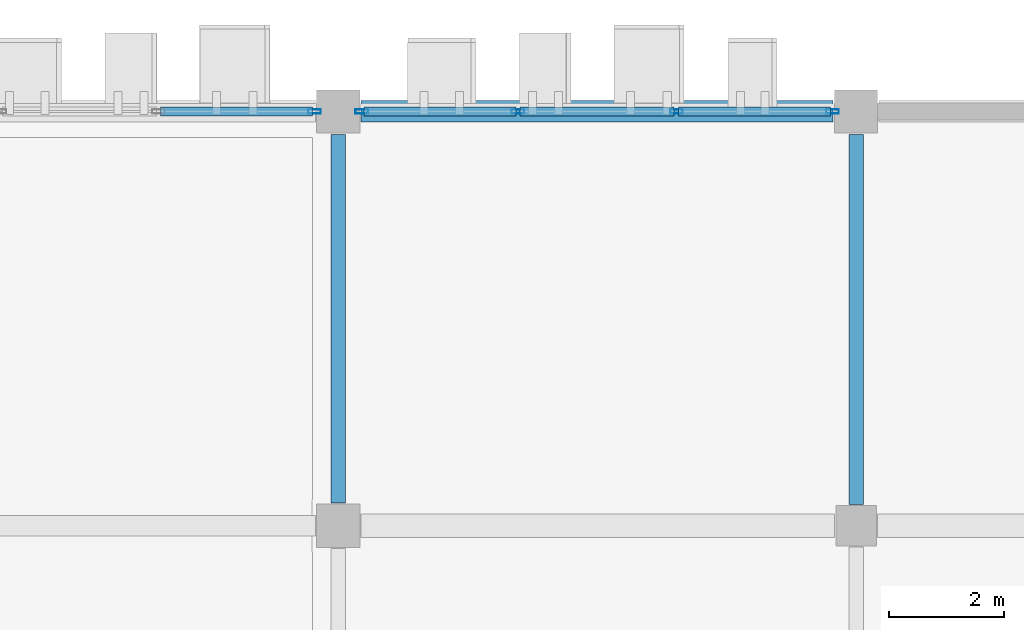
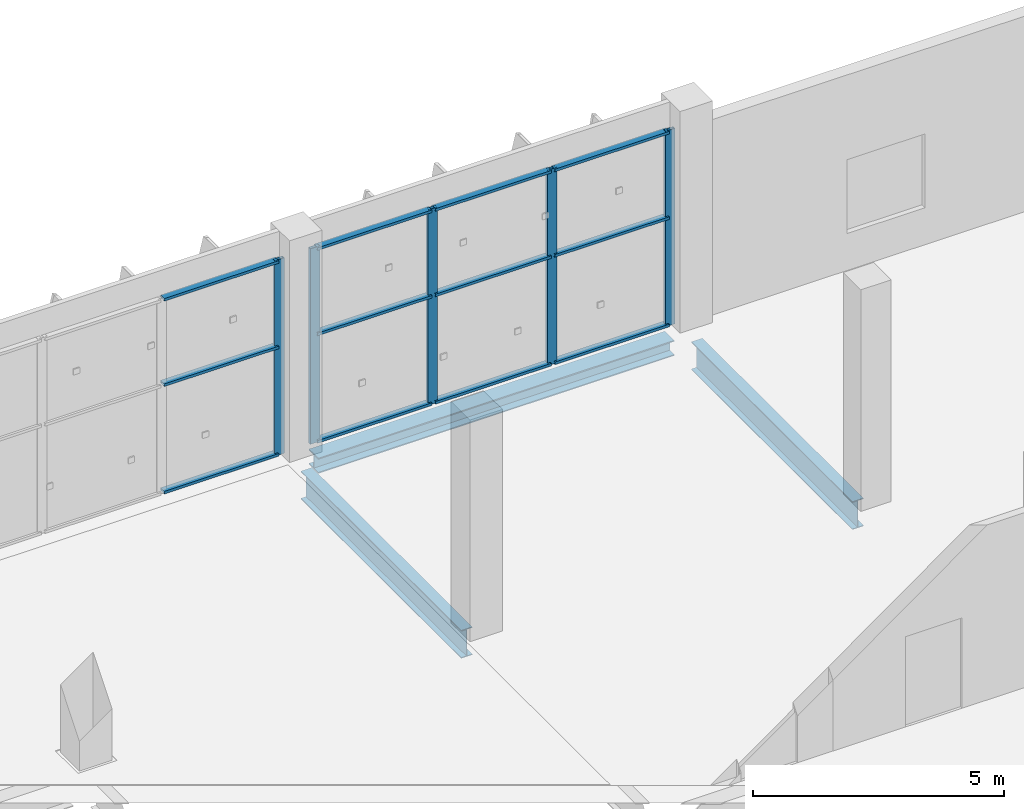
# One storey, part 59 of 189: 17 members, 3 beams, 2 elements without a shape of their own.
"""IFC4 building model written with IfcOpenShell, lengths in metres."""

import ifcopenshell
import ifcopenshell.guid

model = None  # the IFC model being written
_history = None  # IfcOwnerHistory: only IFC2X3 demands one
_inside = {}  # id of a spatial element -> (the spatial element, [elements in it])
_under = {}  # id of a project, library or spatial element -> (it, [spatial elements below it])
_declared = {}  # id of a project -> (the project, [libraries it declares])
_typed = {}  # id of a type object -> (the type object, [elements of that type])
_made_of = {}  # id of a material, layer set ... -> (it, [elements and type objects made of it])


def new_model(schema):
    """Start an empty IFC model of exactly this schema.

    Asked for "IFC4X3", IfcOpenShell would pick the latest addendum, in which some entities
    have other attributes; the version numbers below select the first issue.
    IFC2X3 requires an IfcOwnerHistory on every rooted entity: one is made here for all.
    """
    global model, _history
    if schema == "IFC4X3":
        model = ifcopenshell.file(schema_version=(4, 3, 0, 0))
    else:
        model = ifcopenshell.file(schema=schema)
    _inside.clear()
    _under.clear()
    _declared.clear()
    _typed.clear()
    _made_of.clear()
    _history = None
    if model.schema == "IFC2X3":
        org = make("IfcOrganization", Name="unknown")
        user = make(
            "IfcPersonAndOrganization",
            ThePerson=make("IfcPerson", FamilyName="unknown"),
            TheOrganization=org,
        )
        app = make(
            "IfcApplication",
            ApplicationDeveloper=org,
            Version="unknown",
            ApplicationFullName="unknown",
            ApplicationIdentifier="unknown",
        )
        _history = make(
            "IfcOwnerHistory",
            OwningUser=user,
            OwningApplication=app,
            ChangeAction="ADDED",
            CreationDate=0,
        )
    return model


def make(cls, **values):
    """One entity of the class cls with the attributes given. An attribute that is None is left unset."""
    return model.create_entity(
        cls, **{name: value for name, value in values.items() if value is not None}
    )


def rooted(cls, **values):
    """An entity with a GlobalId (a new one), such as an element, a storey or a relation."""
    return make(cls, GlobalId=ifcopenshell.guid.new(), OwnerHistory=_history, **values)


def si_unit(unit_type, name, prefix=None):
    """IfcSIUnit, for example si_unit("LENGTHUNIT", "METRE", prefix="MILLI")."""
    return make("IfcSIUnit", UnitType=unit_type, Prefix=prefix, Name=name)


def assignment(units):
    """IfcUnitAssignment: the units of a project."""
    return None if units is None else make("IfcUnitAssignment", Units=units)


def point(xyz):
    """IfcCartesianPoint."""
    return None if xyz is None else make("IfcCartesianPoint", Coordinates=xyz)


def direction(xyz):
    """IfcDirection."""
    return None if xyz is None else make("IfcDirection", DirectionRatios=xyz)


def frame(location, z_axis=None, x_axis=None):
    """IfcAxis2Placement3D, a coordinate frame: its origin and axes. An axis left out is left unset."""
    return make(
        "IfcAxis2Placement3D",
        Location=point(location),
        Axis=direction(z_axis),
        RefDirection=direction(x_axis),
    )


def frame_2d(location, x_axis=None):
    """IfcAxis2Placement2D, a coordinate frame in the plane: its origin and x axis."""
    return make(
        "IfcAxis2Placement2D", Location=point(location), RefDirection=direction(x_axis)
    )


def origin():
    """The frame at (0, 0, 0) with its axes left unset."""
    return frame((0.0, 0.0, 0.0))


def origin_2d():
    """The frame at (0, 0) in the plane with its x axis left unset."""
    return frame_2d((0.0, 0.0))


def place(relative_to, where):
    """IfcLocalPlacement: puts the frame where relative to a parent placement (None: the world)."""
    return make(
        "IfcLocalPlacement", PlacementRelTo=relative_to, RelativePlacement=where
    )


def context(
    kind, dimensions, precision=None, world=None, true_north=None, identifier=None
):
    """IfcGeometricRepresentationContext, for example the 3D "Model" context."""
    return make(
        "IfcGeometricRepresentationContext",
        ContextIdentifier=identifier,
        ContextType=kind,
        CoordinateSpaceDimension=dimensions,
        Precision=precision,
        WorldCoordinateSystem=world,
        TrueNorth=true_north,
    )


def subcontext(parent, identifier, kind, view, scale=None):
    """IfcGeometricRepresentationSubContext, for example "Body" below "Model"."""
    return make(
        "IfcGeometricRepresentationSubContext",
        ContextIdentifier=identifier,
        ContextType=kind,
        ParentContext=parent,
        TargetScale=scale,
        TargetView=view,
    )


def project(units=None, contexts=None):
    """IfcProject with its units and contexts."""
    return rooted(
        "IfcProject",
        Name="project",
        RepresentationContexts=contexts,
        UnitsInContext=assignment(units),
    )


def spatial(cls, under=None, at=None, **own):
    """A site, building, storey or space (cls), placed at a placement, below another one or the project."""
    s = rooted(cls, ObjectPlacement=at, **own)
    if under is not None:
        _under.setdefault(under.id(), (under, []))[1].append(s)
    return s


def profile(cls, at=None, kind="AREA", **sizes):
    """A parametric profile (cls). Its sizes go by their IFC names, for example OverallWidth=200.0."""
    return make(cls, ProfileType=kind, Position=at, **sizes)


def hollow_rectangle(**sizes):
    """IfcRectangleHollowProfileDef."""
    return profile("IfcRectangleHollowProfileDef", **sizes)


def i_section(**sizes):
    """IfcIShapeProfileDef."""
    return profile("IfcIShapeProfileDef", **sizes)


def extrude(swept, where, along, depth):
    """IfcExtrudedAreaSolid: the profile swept, set in the frame where, extruded along a direction by depth."""
    return make(
        "IfcExtrudedAreaSolid",
        SweptArea=swept,
        Position=where,
        ExtrudedDirection=direction(along),
        Depth=depth,
    )


def shape(context_of_items, identifier, shape_type, items):
    """IfcShapeRepresentation: the items that make up one representation, for example the "Body"."""
    return make(
        "IfcShapeRepresentation",
        ContextOfItems=context_of_items,
        RepresentationIdentifier=identifier,
        RepresentationType=shape_type,
        Items=items,
    )


def material(Name=None, Category=None):
    """IfcMaterial."""
    return make("IfcMaterial", Name=Name, Category=Category)


def layer(
    of_material, thickness, ventilated=None, Name=None, Category=None, Priority=None
):
    """IfcMaterialLayer: one layer of a wall or slab, of a material (None: an air gap)."""
    return make(
        "IfcMaterialLayer",
        Material=of_material,
        LayerThickness=thickness,
        IsVentilated=ventilated,
        Name=Name,
        Category=Category,
        Priority=Priority,
    )


def layer_set(layers, Name=None):
    """IfcMaterialLayerSet."""
    return make("IfcMaterialLayerSet", MaterialLayers=layers, LayerSetName=Name)


def material_profile(
    of_material, cross_section, Name=None, Category=None, Priority=None
):
    """IfcMaterialProfile: a cross section and its material."""
    return make(
        "IfcMaterialProfile",
        Name=Name,
        Material=of_material,
        Profile=cross_section,
        Priority=Priority,
        Category=Category,
    )


def profile_set(profiles, Name=None, composite=None):
    """IfcMaterialProfileSet."""
    return make(
        "IfcMaterialProfileSet",
        Name=Name,
        MaterialProfiles=profiles,
        CompositeProfile=composite,
    )


def made_of(thing, what):
    """Note that an element or type object is made of a material, layer set ...; save() writes the relation."""
    if what is not None:
        _made_of.setdefault(what.id(), (what, []))[1].append(thing)
    return thing


def type_object(cls, material=None, **own):
    """A type object (cls), such as IfcWallType, which elements share."""
    return made_of(rooted(cls, **own), material)


def element(
    cls,
    number,
    at=None,
    inside=None,
    cuts=None,
    type_object=None,
    material=None,
    context=None,
    identifier="Body",
    shape_type=None,
    held_by="IfcProductDefinitionShape",
    body=None,
    shapes=None,
    **own,
):
    """One element of the class cls, such as IfcWall. Its Tag is "e" and its number.

    at: its placement. inside: the storey or other place that contains it. cuts: it is an
    opening in that element (IfcRelVoidsElement). A single representation is given by context,
    identifier, shape_type and body (its items); several are given by shapes. held_by: the class
    of the entity that holds the representations. save() writes the other relations.
    """
    e = rooted(cls, Tag="e%d" % number, ObjectPlacement=at, **own)
    if body is not None:
        shapes = [shape(context, identifier, shape_type, body)]
    if shapes is not None:
        e.Representation = make(held_by, Representations=shapes)
    if inside is not None:
        _inside.setdefault(inside.id(), (inside, []))[1].append(e)
    if cuts is not None:
        rooted(
            "IfcRelVoidsElement", RelatingBuildingElement=cuts, RelatedOpeningElement=e
        )
    if type_object is not None:
        _typed.setdefault(type_object.id(), (type_object, []))[1].append(e)
    return made_of(e, material)


def aggregate(whole, parts):
    """IfcRelAggregates: a whole, such as a stair, and the parts it consists of."""
    return rooted("IfcRelAggregates", RelatingObject=whole, RelatedObjects=parts)


def save(model, path):
    """Write the relations noted so far, then the file.

    IfcRelAggregates (storeys below a building ...), IfcRelContainedInSpatialStructure (elements
    in a storey), IfcRelDefinesByType, IfcRelAssociatesMaterial and IfcRelDeclares: one each for
    every whole, place, type object, material and project.
    """
    for whole, parts in _under.values():
        aggregate(whole, parts)
    for where, things in _inside.values():
        rooted(
            "IfcRelContainedInSpatialStructure",
            RelatedElements=things,
            RelatingStructure=where,
        )
    for kind, things in _typed.values():
        rooted("IfcRelDefinesByType", RelatedObjects=things, RelatingType=kind)
    for what, things in _made_of.values():
        rooted("IfcRelAssociatesMaterial", RelatedObjects=things, RelatingMaterial=what)
    for by, libraries in _declared.values():
        rooted("IfcRelDeclares", RelatingContext=by, RelatedDefinitions=libraries)
    model.write(path)


model = new_model("IFC4")

# Units and contexts
model_context = context("Model", 3, precision=1e-05, world=origin(), true_north=direction((0.0, 1.0)))
body_context = subcontext(model_context, "Body", "Model", "MODEL_VIEW")
ifc_project = project(units=[si_unit("LENGTHUNIT", "METRE"), si_unit("AREAUNIT", "SQUARE_METRE"), si_unit("VOLUMEUNIT", "CUBIC_METRE"), si_unit("PLANEANGLEUNIT", "RADIAN"), si_unit("MASSUNIT", "GRAM", prefix="KILO")], contexts=[model_context])

# Site, building, storey
site_placement = place(None, origin())
site = spatial("IfcSite", under=ifc_project, at=site_placement, CompositionType="ELEMENT")
building_placement = place(site_placement, origin())
building = spatial("IfcBuilding", under=site, at=building_placement, Name="Celestram Park Convention Centre", CompositionType="ELEMENT")
storey_placement = place(building_placement, frame((0.0, 0.0, 5.39990234375)))
storey = spatial("IfcBuildingStorey", under=building, at=storey_placement, Name="L01", CompositionType="ELEMENT", Elevation=5.39990234375)

# Curtain wall, member
ifc_material_1 = material(Name="Anodised Aluminium Alloy 6063-T6", Category="aluminium")
ifc_layer = layer(ifc_material_1, 0.179931640625)
ifc_layer_set = layer_set([ifc_layer], Name="Anodised Aluminium Alloy 6063-T6")
curtain_wall_type = type_object("IfcCurtainWallType", Name="ARC-CW-825X476", PredefinedType="NOTDEFINED", material=ifc_layer_set)
curtain_wall_1_placement = place(storey_placement, origin())
curtain_wall_1 = element("IfcCurtainWall", 1, at=curtain_wall_1_placement, inside=storey, type_object=curtain_wall_type, Name="Unitised curtain wall CU-L01-099", PredefinedType="NOTDEFINED")
ifc_material_profile_1 = material_profile(ifc_material_1, hollow_rectangle(XDim=0.074951171875, YDim=0.219970703125, WallThickness=0.00390625, at=origin_2d()), Name="ALU75X220X4")
ifc_profile_set_1 = profile_set([ifc_material_profile_1], Name="Anodised Aluminium Alloy 6063-T6")
member_type_1 = type_object("IfcMemberType", Name="ARC-CWM-180", PredefinedType="MULLION", material=ifc_profile_set_1)
member_1_placement = place(storey_placement, frame((161.589599609375, 36.0, 0.0), z_axis=(0.0, 0.0, 1.0), x_axis=(0.0, 1.0, 0.0)))
member_1 = element("IfcMember", 2, at=member_1_placement, type_object=member_type_1, Name="CW-82X47 mullion 4", PredefinedType="MULLION", context=body_context, shape_type="SweptSolid", body=[
    extrude(hollow_rectangle(XDim=0.074951171875, YDim=0.219970703125, WallThickness=0.00390625, at=origin_2d()), origin(), (0.0, 0.0, 1.0), 4.76416015625),
])

# Curtain wall, members
curtain_wall_2_placement = place(storey_placement, origin())
curtain_wall_2 = element("IfcCurtainWall", 3, at=curtain_wall_2_placement, inside=storey, type_object=curtain_wall_type, Name="Unitised curtain wall CU-L01-100", PredefinedType="NOTDEFINED")
member_2_placement = place(storey_placement, frame((162.410400390625, 36.0, 0.0), z_axis=(0.0, 0.0, 1.0), x_axis=(0.0, 1.0, 0.0)))
member_2 = element("IfcMember", 4, at=member_2_placement, type_object=member_type_1, Name="CW-82X47 mullion 1", PredefinedType="MULLION", context=body_context, shape_type="SweptSolid", body=[
    extrude(hollow_rectangle(XDim=0.074951171875, YDim=0.219970703125, WallThickness=0.00390625, at=origin_2d()), origin(), (0.0, 0.0, 1.0), 4.76416015625),
])
member_3_placement = place(storey_placement, frame((165.124267578125, 36.0, 0.0), z_axis=(0.0, 0.0, 1.0), x_axis=(0.0, 1.0, 0.0)))
member_3 = element("IfcMember", 5, at=member_3_placement, type_object=member_type_1, Name="CW-82X47 mullion 2", PredefinedType="MULLION", context=body_context, shape_type="SweptSolid", body=[
    extrude(hollow_rectangle(XDim=0.074951171875, YDim=0.219970703125, WallThickness=0.00390625, at=origin_2d()), origin(), (0.0, 0.0, 1.0), 4.76416015625),
])
member_4_placement = place(storey_placement, frame((167.875732421875, 36.0, 0.0), z_axis=(0.0, 0.0, 1.0), x_axis=(0.0, 1.0, 0.0)))
member_4 = element("IfcMember", 6, at=member_4_placement, type_object=member_type_1, Name="CW-82X47 mullion 3", PredefinedType="MULLION", context=body_context, shape_type="SweptSolid", body=[
    extrude(hollow_rectangle(XDim=0.074951171875, YDim=0.219970703125, WallThickness=0.00390625, at=origin_2d()), origin(), (0.0, 0.0, 1.0), 4.76416015625),
])
member_5_placement = place(storey_placement, frame((170.589599609375, 36.0, 0.0), z_axis=(0.0, 0.0, 1.0), x_axis=(0.0, 1.0, 0.0)))
member_5 = element("IfcMember", 7, at=member_5_placement, type_object=member_type_1, Name="CW-82X47 mullion 4", PredefinedType="MULLION", context=body_context, shape_type="SweptSolid", body=[
    extrude(hollow_rectangle(XDim=0.074951171875, YDim=0.219970703125, WallThickness=0.00390625, at=origin_2d()), origin(), (0.0, 0.0, 1.0), 4.76416015625),
])

# Member
ifc_material_profile_2 = material_profile(ifc_material_1, hollow_rectangle(XDim=0.14990234375, YDim=0.06494140625, WallThickness=0.0029296875, at=origin_2d()), Name="ALU150X65X3")
ifc_profile_set_2 = profile_set([ifc_material_profile_2], Name="Anodised Aluminium Alloy 6063-T6")
member_type_2 = type_object("IfcMemberType", Name="ARC-CWT-150", PredefinedType="USERDEFINED", material=ifc_profile_set_2)
member_6_placement = place(storey_placement, frame((158.9130859375, 36.0, 0.03271484375), z_axis=(1.0, 0.0, 0.0), x_axis=(0.0, 1.0, 0.0)))
member_6 = element("IfcMember", 8, at=member_6_placement, type_object=member_type_2, Name="CW-82X47 transom 3.1", ObjectType="TRANSOM", PredefinedType="USERDEFINED", context=body_context, shape_type="SweptSolid", body=[
    extrude(hollow_rectangle(XDim=0.14990234375, YDim=0.06494140625, WallThickness=0.0029296875, at=origin_2d()), origin(), (0.0, 0.0, 1.0), 2.638916015625),
])

member_7_placement = place(storey_placement, frame((158.9130859375, 36.0, 2.650146484375), z_axis=(1.0, 0.0, 0.0), x_axis=(0.0, 1.0, 0.0)))
member_7 = element("IfcMember", 9, at=member_7_placement, type_object=member_type_2, Name="CW-82X47 transom 3.2", ObjectType="TRANSOM", PredefinedType="USERDEFINED", context=body_context, shape_type="SweptSolid", body=[
    extrude(hollow_rectangle(XDim=0.14990234375, YDim=0.06494140625, WallThickness=0.0029296875, at=origin_2d()), origin(), (0.0, 0.0, 1.0), 2.638916015625),
])

member_8_placement = place(storey_placement, frame((158.9130859375, 36.0, 4.731689453125), z_axis=(1.0, 0.0, 0.0), x_axis=(0.0, 1.0, 0.0)))
member_8 = element("IfcMember", 10, at=member_8_placement, type_object=member_type_2, Name="CW-82X47 transom 3.3", ObjectType="TRANSOM", PredefinedType="USERDEFINED", context=body_context, shape_type="SweptSolid", body=[
    extrude(hollow_rectangle(XDim=0.14990234375, YDim=0.06494140625, WallThickness=0.0029296875, at=origin_2d()), origin(), (0.0, 0.0, 1.0), 2.638916015625),
])

aggregate(curtain_wall_1, [member_1, member_6, member_7, member_8])

member_9_placement = place(storey_placement, frame((162.447998046875, 36.0, 0.03271484375), z_axis=(1.0, 0.0, 0.0), x_axis=(0.0, 1.0, 0.0)))
member_9 = element("IfcMember", 11, at=member_9_placement, type_object=member_type_2, Name="CW-82X47 transom 1.1", ObjectType="TRANSOM", PredefinedType="USERDEFINED", context=body_context, shape_type="SweptSolid", body=[
    extrude(hollow_rectangle(XDim=0.14990234375, YDim=0.06494140625, WallThickness=0.0029296875, at=origin_2d()), origin(), (0.0, 0.0, 1.0), 2.638916015625),
])

member_10_placement = place(storey_placement, frame((162.447998046875, 36.0, 2.650146484375), z_axis=(1.0, 0.0, 0.0), x_axis=(0.0, 1.0, 0.0)))
member_10 = element("IfcMember", 12, at=member_10_placement, type_object=member_type_2, Name="CW-82X47 transom 1.2", ObjectType="TRANSOM", PredefinedType="USERDEFINED", context=body_context, shape_type="SweptSolid", body=[
    extrude(hollow_rectangle(XDim=0.14990234375, YDim=0.06494140625, WallThickness=0.0029296875, at=origin_2d()), origin(), (0.0, 0.0, 1.0), 2.638916015625),
])

member_11_placement = place(storey_placement, frame((162.447998046875, 36.0, 4.731689453125), z_axis=(1.0, 0.0, 0.0), x_axis=(0.0, 1.0, 0.0)))
member_11 = element("IfcMember", 13, at=member_11_placement, type_object=member_type_2, Name="CW-82X47 transom 1.3", ObjectType="TRANSOM", PredefinedType="USERDEFINED", context=body_context, shape_type="SweptSolid", body=[
    extrude(hollow_rectangle(XDim=0.14990234375, YDim=0.06494140625, WallThickness=0.0029296875, at=origin_2d()), origin(), (0.0, 0.0, 1.0), 2.638916015625),
])

member_12_placement = place(storey_placement, frame((165.161865234375, 36.0, 0.03271484375), z_axis=(1.0, 0.0, 0.0), x_axis=(0.0, 1.0, 0.0)))
member_12 = element("IfcMember", 14, at=member_12_placement, type_object=member_type_2, Name="CW-82X47 transom 2.1", ObjectType="TRANSOM", PredefinedType="USERDEFINED", context=body_context, shape_type="SweptSolid", body=[
    extrude(hollow_rectangle(XDim=0.14990234375, YDim=0.06494140625, WallThickness=0.0029296875, at=origin_2d()), origin(), (0.0, 0.0, 1.0), 2.67626953125),
])

member_13_placement = place(storey_placement, frame((165.161865234375, 36.0, 2.650146484375), z_axis=(1.0, 0.0, 0.0), x_axis=(0.0, 1.0, 0.0)))
member_13 = element("IfcMember", 15, at=member_13_placement, type_object=member_type_2, Name="CW-82X47 transom 2.2", ObjectType="TRANSOM", PredefinedType="USERDEFINED", context=body_context, shape_type="SweptSolid", body=[
    extrude(hollow_rectangle(XDim=0.14990234375, YDim=0.06494140625, WallThickness=0.0029296875, at=origin_2d()), origin(), (0.0, 0.0, 1.0), 2.67626953125),
])

member_14_placement = place(storey_placement, frame((165.161865234375, 36.0, 4.731689453125), z_axis=(1.0, 0.0, 0.0), x_axis=(0.0, 1.0, 0.0)))
member_14 = element("IfcMember", 16, at=member_14_placement, type_object=member_type_2, Name="CW-82X47 transom 2.3", ObjectType="TRANSOM", PredefinedType="USERDEFINED", context=body_context, shape_type="SweptSolid", body=[
    extrude(hollow_rectangle(XDim=0.14990234375, YDim=0.06494140625, WallThickness=0.0029296875, at=origin_2d()), origin(), (0.0, 0.0, 1.0), 2.67626953125),
])

member_15_placement = place(storey_placement, frame((167.9130859375, 36.0, 0.03271484375), z_axis=(1.0, 0.0, 0.0), x_axis=(0.0, 1.0, 0.0)))
member_15 = element("IfcMember", 17, at=member_15_placement, type_object=member_type_2, Name="CW-82X47 transom 3.1", ObjectType="TRANSOM", PredefinedType="USERDEFINED", context=body_context, shape_type="SweptSolid", body=[
    extrude(hollow_rectangle(XDim=0.14990234375, YDim=0.06494140625, WallThickness=0.0029296875, at=origin_2d()), origin(), (0.0, 0.0, 1.0), 2.638916015625),
])

member_16_placement = place(storey_placement, frame((167.9130859375, 36.0, 2.650146484375), z_axis=(1.0, 0.0, 0.0), x_axis=(0.0, 1.0, 0.0)))
member_16 = element("IfcMember", 18, at=member_16_placement, type_object=member_type_2, Name="CW-82X47 transom 3.2", ObjectType="TRANSOM", PredefinedType="USERDEFINED", context=body_context, shape_type="SweptSolid", body=[
    extrude(hollow_rectangle(XDim=0.14990234375, YDim=0.06494140625, WallThickness=0.0029296875, at=origin_2d()), origin(), (0.0, 0.0, 1.0), 2.638916015625),
])

member_17_placement = place(storey_placement, frame((167.9130859375, 36.0, 4.731689453125), z_axis=(1.0, 0.0, 0.0), x_axis=(0.0, 1.0, 0.0)))
member_17 = element("IfcMember", 19, at=member_17_placement, type_object=member_type_2, Name="CW-82X47 transom 3.3", ObjectType="TRANSOM", PredefinedType="USERDEFINED", context=body_context, shape_type="SweptSolid", body=[
    extrude(hollow_rectangle(XDim=0.14990234375, YDim=0.06494140625, WallThickness=0.0029296875, at=origin_2d()), origin(), (0.0, 0.0, 1.0), 2.638916015625),
])

aggregate(curtain_wall_2, [member_2, member_3, member_4, member_5, member_9, member_10, member_11, member_12, member_13, member_14, member_15, member_16, member_17])

# Beams
ifc_material_2 = material(Name="Steel ASTM A992 Grade 50", Category="steel")
ifc_material_profile_3 = material_profile(ifc_material_2, i_section(OverallWidth=0.25390625, OverallDepth=0.68310546875, WebThickness=0.012451171875, FlangeThickness=0.01904296875, at=origin_2d()), Name="W27X94")
ifc_profile_set_3 = profile_set([ifc_material_profile_3], Name="Steel ASTM A992 Grade 50")
beam_type_1 = type_object("IfcBeamType", Name="STR-BM-W27X94", PredefinedType="BEAM", material=ifc_profile_set_3)
beam_1_placement = place(storey_placement, frame((162.0, 29.197998046875, -0.621337890625), z_axis=(0.0, 1.0, 0.0), x_axis=(-1.0, 0.0, 0.0)))
element("IfcBeam", 20, at=beam_1_placement, inside=storey, type_object=beam_type_1, Name="Primary Y-girder BG-L01-0391", PredefinedType="BEAM", context=body_context, shape_type="SweptSolid", body=[
    extrude(i_section(OverallWidth=0.25390625, OverallDepth=0.68310546875, WebThickness=0.012451171875, FlangeThickness=0.01904296875, at=origin_2d()), origin(), (0.0, 0.0, 1.0), 6.404052734375),
])
beam_2_placement = place(storey_placement, frame((171.0, 29.173095703125, -0.621337890625), z_axis=(0.0, 1.0, 0.0), x_axis=(-1.0, 0.0, 0.0)))
element("IfcBeam", 21, at=beam_2_placement, inside=storey, type_object=beam_type_1, Name="Primary Y-girder BG-L01-0417", PredefinedType="BEAM", context=body_context, shape_type="SweptSolid", body=[
    extrude(i_section(OverallWidth=0.25390625, OverallDepth=0.68310546875, WebThickness=0.012451171875, FlangeThickness=0.01904296875, at=origin_2d()), origin(), (0.0, 0.0, 1.0), 6.428955078125),
])
ifc_material_profile_4 = material_profile(ifc_material_2, i_section(OverallWidth=0.373046875, OverallDepth=0.373046875, WebThickness=0.016357421875, FlangeThickness=0.026123046875, at=origin_2d()), Name="W14X132")
ifc_profile_set_4 = profile_set([ifc_material_profile_4], Name="Steel ASTM A992 Grade 50")
beam_type_2 = type_object("IfcBeamType", Name="STR-SPN-W14X132", PredefinedType="SPANDREL", material=ifc_profile_set_4)
beam_3_placement = place(storey_placement, frame((162.39794921875, 36.0, -0.46630859375), z_axis=(1.0, 0.0, 0.0), x_axis=(0.0, 1.0, 0.0)))
element("IfcBeam", 22, at=beam_3_placement, inside=storey, type_object=beam_type_2, Name="Primary X-girder BG-L01-0392", PredefinedType="SPANDREL", context=body_context, shape_type="SweptSolid", body=[
    extrude(i_section(OverallWidth=0.373046875, OverallDepth=0.373046875, WebThickness=0.016357421875, FlangeThickness=0.026123046875, at=origin_2d()), origin(), (0.0, 0.0, 1.0), 8.2041015625),
])

save(model, "model.ifc")
